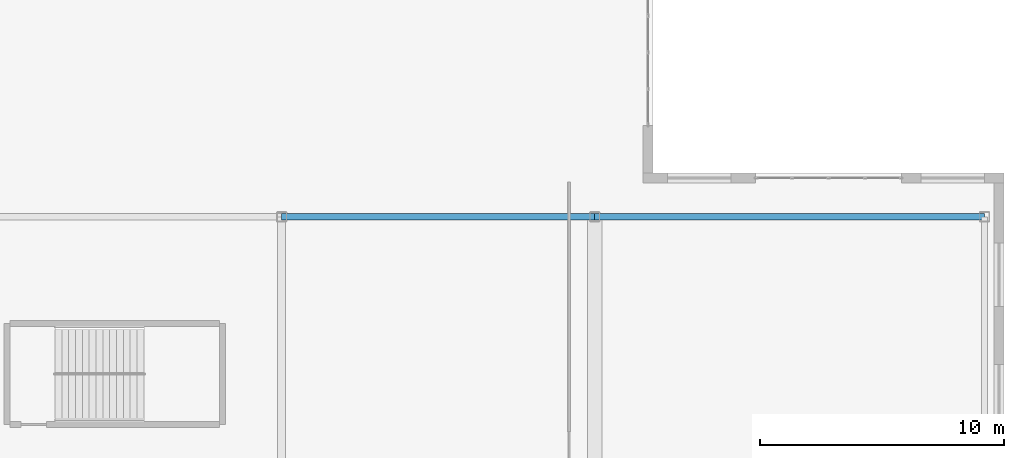
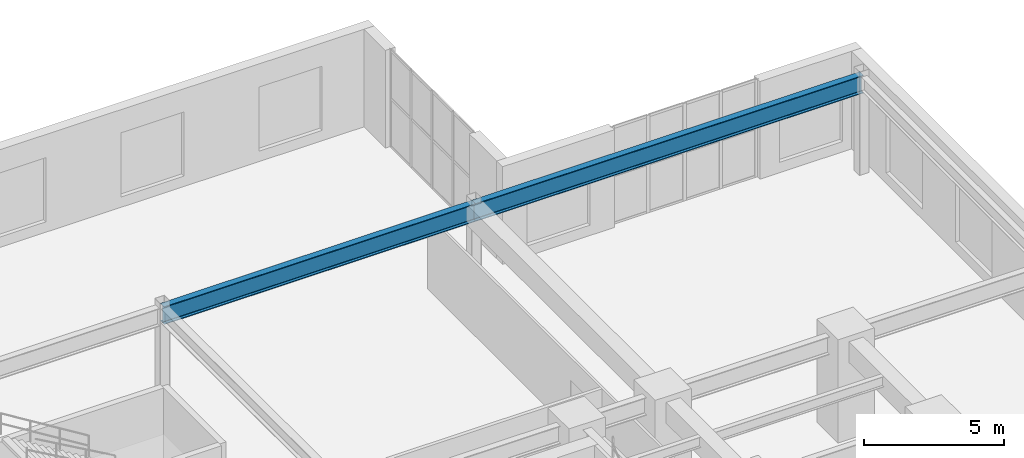
# One storey, part 6 of 15: 2 beams.
"""IFC4 building model written with IfcOpenShell, lengths in metres."""

from ifc_helpers import new_model, entity, si_unit, converted_unit, direction, frame, origin_with_axes, origin_2d_with_axis, place, context, subcontext, project, spatial, i_section, extrude, material, material_profile, profile_set, type_object, element, save


model = new_model("IFC4")

# Units and contexts
model_context = context("Model", 3, precision=1e-05, world=origin_with_axes(), true_north=direction((0.0, 1.0)))
body_context = subcontext(model_context, "Body", "Model", "MODEL_VIEW")
ifc_project = project(units=[si_unit("LENGTHUNIT", "METRE"), si_unit("AREAUNIT", "SQUARE_METRE"), si_unit("VOLUMEUNIT", "CUBIC_METRE"), converted_unit("PLANEANGLEUNIT", "DEGREE", entity("IfcPlaneAngleMeasure", 0.017453292519943295), si_unit("PLANEANGLEUNIT", "RADIAN"), dimensions=[0, 0, 0, 0, 0, 0, 0]), si_unit("MASSUNIT", "GRAM", prefix="KILO"), si_unit("THERMODYNAMICTEMPERATUREUNIT", "KELVIN")], contexts=[model_context])

# Site, building, storey
site_placement = place(None, origin_with_axes())
site = spatial("IfcSite", under=ifc_project, at=site_placement, CompositionType="ELEMENT")
building_placement = place(site_placement, origin_with_axes())
building = spatial("IfcBuilding", under=site, at=building_placement, Name="Varnlund Millrace Tower", CompositionType="ELEMENT")
storey_placement = place(building_placement, frame((0.0, 0.0, 10.8), z_axis=(0.0, 0.0, 1.0), x_axis=(1.0, 0.0, 0.0)))
storey = spatial("IfcBuildingStorey", under=building, at=storey_placement, Name="L02", CompositionType="ELEMENT", Elevation=10.8)

# Beams
ifc_material = material(Name="Steel ASTM A992 Grade 50", Category="steel")
ifc_material_profile = material_profile(ifc_material, i_section(OverallWidth=0.266, OverallDepth=0.779, WebThickness=0.0165, FlangeThickness=0.03, FilletRadius=0.02, at=origin_2d_with_axis()), Name="Steel ASTM A992 Grade 50")
ifc_profile_set = profile_set([ifc_material_profile], Name="Steel ASTM A992 Grade 50")
beam_type = type_object("IfcBeamType", Name="Type-Girder-W30X148", PredefinedType="USERDEFINED", material=ifc_profile_set)
beam_1_placement = place(storey_placement, frame((38.75, 37.8, 3.8705), z_axis=(1.0, 0.0, 0.0), x_axis=(0.0, 1.0, 0.0)))
element("IfcBeam", 1, at=beam_1_placement, inside=storey, type_object=beam_type, Name="Type-Girder-W30X148", ObjectType="GIRDER", PredefinedType="USERDEFINED", context=body_context, shape_type="SweptSolid", body=[
    extrude(i_section(OverallWidth=0.266, OverallDepth=0.779, WebThickness=0.0165, FlangeThickness=0.03, FilletRadius=0.02, at=origin_2d_with_axis()), origin_with_axes(), (0.0, 0.0, 1.0), 12.85),
])
beam_2_placement = place(storey_placement, frame((51.6, 37.8, 3.8705), z_axis=(1.0, 0.0, 0.0), x_axis=(0.0, 1.0, 0.0)))
element("IfcBeam", 2, at=beam_2_placement, inside=storey, type_object=beam_type, Name="Type-Girder-W30X148", ObjectType="GIRDER", PredefinedType="USERDEFINED", context=body_context, shape_type="SweptSolid", body=[
    extrude(i_section(OverallWidth=0.266, OverallDepth=0.779, WebThickness=0.0165, FlangeThickness=0.03, FilletRadius=0.02, at=origin_2d_with_axis()), origin_with_axes(), (0.0, 0.0, 1.0), 16.0),
])

save(model, "model.ifc")
